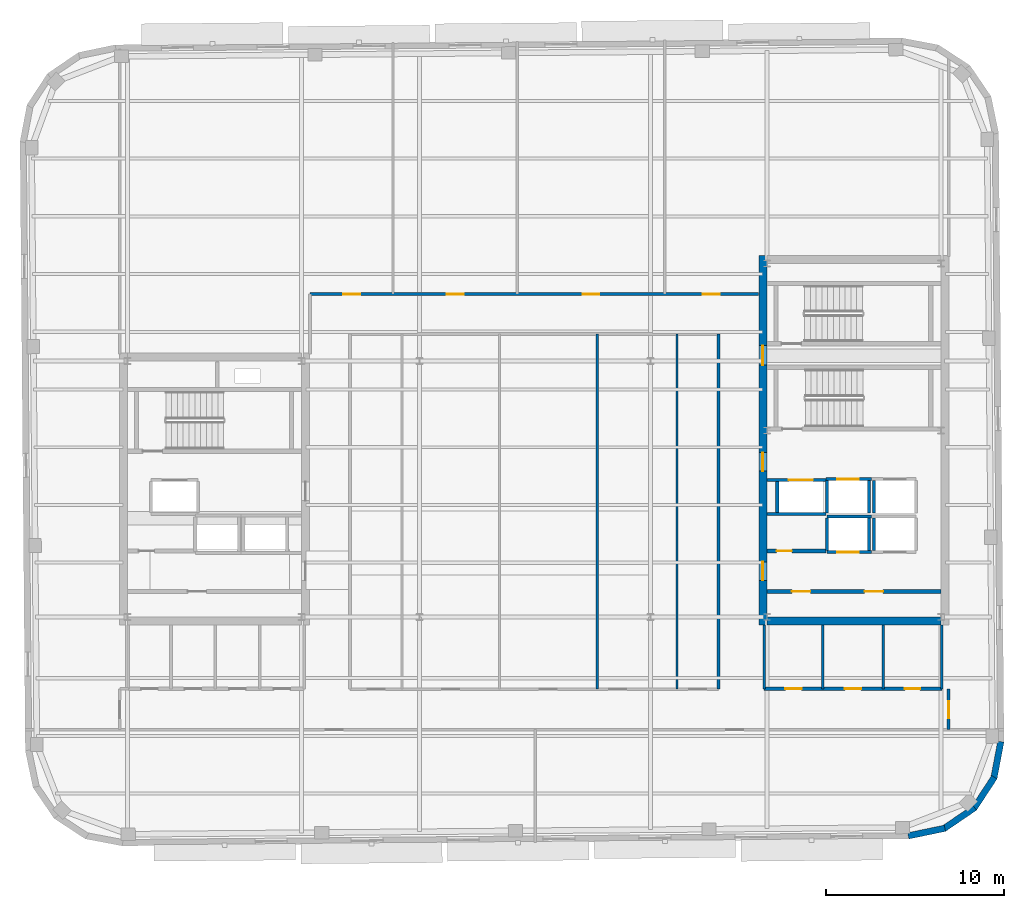
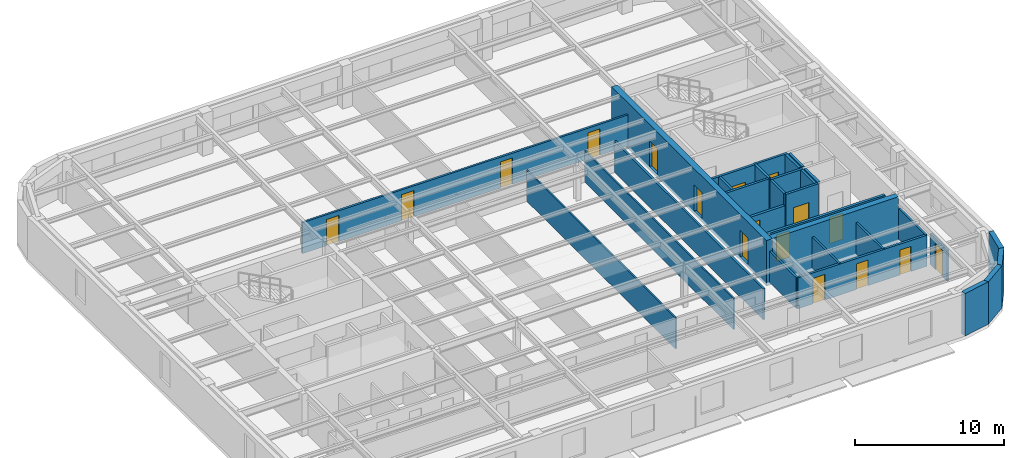
# One storey, part 8 of 14: 30 walls, 17 doors, 17 openings.
"""IFC4 building model written with IfcOpenShell, lengths in metres."""

from ifc_helpers import new_model, si_unit, direction, frame, frame_2d, origin, place, context, subcontext, project, spatial, rectangle, extrude, material, layer, layer_set, type_object, element, fill, save


model = new_model("IFC4")

# Units and contexts
model_context = context("Model", 3, precision=1e-05, world=origin(), true_north=direction((0.0, 1.0)))
body_context = subcontext(model_context, "Body", "Model", "MODEL_VIEW")
ifc_project = project(units=[si_unit("LENGTHUNIT", "METRE"), si_unit("AREAUNIT", "SQUARE_METRE"), si_unit("VOLUMEUNIT", "CUBIC_METRE"), si_unit("PLANEANGLEUNIT", "RADIAN"), si_unit("MASSUNIT", "GRAM", prefix="KILO")], contexts=[model_context])

# Site, building, storey
site_placement = place(None, origin())
site = spatial("IfcSite", under=ifc_project, at=site_placement, CompositionType="ELEMENT")
building_placement = place(site_placement, origin())
building = spatial("IfcBuilding", under=site, at=building_placement, Name="Kolvaren Arena Tower", CompositionType="ELEMENT")
storey_placement = place(building_placement, frame((0.0, 0.0, 297.39990234375)))
storey = spatial("IfcBuildingStorey", under=building, at=storey_placement, Name="L73", CompositionType="ELEMENT", Elevation=297.39990234375)

# Wall, openings, doors
ifc_material_1 = material(Name="Gypsum board acoustic assembly", Category="gypsum")
ifc_layer_1 = layer(ifc_material_1, 0.159912109375)
ifc_layer_set_1 = layer_set([ifc_layer_1], Name="Gypsum board acoustic assembly")
wall_type_1 = type_object("IfcWallType", Name="CORR-160", PredefinedType="PARTITIONING", material=ifc_layer_set_1)
wall_1_placement = place(storey_placement, frame((24.820068359375, 37.6201171875, 0.0), z_axis=(0.0, 0.0, 1.0), x_axis=(1.0, 0.0, 0.0)))
wall_1 = element("IfcWall", 1, at=wall_1_placement, inside=storey, type_object=wall_type_1, Name="Interior Partition Wall (L73)", PredefinedType="PARTITIONING", context=body_context, shape_type="SweptSolid", body=[
    extrude(rectangle(XDim=25.260009765625, YDim=0.159912109375, at=frame_2d((12.6298828125, 0.0))), origin(), (0.0, 0.0, 1.0), 2.5400390625),
])
opening_1_placement = place(wall_1_placement, frame((1.8798828125, 0.0, 0.0)))
opening_1 = element("IfcOpeningElement", 2, at=opening_1_placement, cuts=wall_1, Name="Opening D05", PredefinedType="OPENING", context=body_context, shape_type="SweptSolid", body=[
    extrude(rectangle(XDim=0.949951171875, YDim=2.14990234375, at=frame_2d((0.47509765625, 1.074951171875))), frame((0.0, 0.08984375, 0.0), z_axis=(0.0, -1.0, 0.0), x_axis=(1.0, 0.0, 0.0)), (0.0, 0.0, 1.0), 0.179931640625),
])
opening_2_placement = place(wall_1_placement, frame((7.705078125, 0.0, 0.0)))
opening_2 = element("IfcOpeningElement", 3, at=opening_2_placement, cuts=wall_1, Name="Opening D05", PredefinedType="OPENING", context=body_context, shape_type="SweptSolid", body=[
    extrude(rectangle(XDim=0.949951171875, YDim=2.14990234375, at=frame_2d((0.47509765625, 1.074951171875))), frame((0.0, 0.08984375, 0.0), z_axis=(0.0, -1.0, 0.0), x_axis=(1.0, 0.0, 0.0)), (0.0, 0.0, 1.0), 0.179931640625),
])
opening_3_placement = place(wall_1_placement, frame((15.35498046875, 0.0, 0.0)))
opening_3 = element("IfcOpeningElement", 4, at=opening_3_placement, cuts=wall_1, Name="Opening D05", PredefinedType="OPENING", context=body_context, shape_type="SweptSolid", body=[
    extrude(rectangle(XDim=0.949951171875, YDim=2.14990234375, at=frame_2d((0.47509765625, 1.074951171875))), frame((0.0, 0.08984375, 0.0), z_axis=(0.0, -1.0, 0.0), x_axis=(1.0, 0.0, 0.0)), (0.0, 0.0, 1.0), 0.179931640625),
])
opening_4_placement = place(wall_1_placement, frame((22.1298828125, 0.0, 0.0)))
opening_4 = element("IfcOpeningElement", 5, at=opening_4_placement, cuts=wall_1, Name="Opening D05", PredefinedType="OPENING", context=body_context, shape_type="SweptSolid", body=[
    extrude(rectangle(XDim=0.949951171875, YDim=2.14990234375, at=frame_2d((0.47509765625, 1.074951171875))), frame((0.0, 0.08984375, 0.0), z_axis=(0.0, -1.0, 0.0), x_axis=(1.0, 0.0, 0.0)), (0.0, 0.0, 1.0), 0.179931640625),
])
ifc_material_2 = material(Name="Solid-core oak acoustic office door", Category="wood")
door_type_1 = type_object("IfcDoorType", Name="DOOR-OF-095", OperationType="NOTDEFINED", PredefinedType="DOOR", material=ifc_material_2)
door_1_placement = place(opening_1_placement, origin())
door_1 = element("IfcDoor", 6, at=door_1_placement, inside=storey, type_object=door_type_1, Name="Open Plan Office Door (L73)", OperationType="SINGLE_SWING_LEFT", OverallHeight=2.14990234375, OverallWidth=0.949951171875, PredefinedType="DOOR", context=body_context, shape_type="SweptSolid", body=[
    extrude(rectangle(XDim=0.949951171875, YDim=2.14990234375, at=frame_2d((0.47509765625, 1.074951171875))), frame((0.0, 0.02490234375, 0.0), z_axis=(0.0, -1.0, 0.0), x_axis=(1.0, 0.0, 0.0)), (0.0, 0.0, 1.0), 0.050048828125),
])
fill(opening_1, door_1)
door_2_placement = place(opening_2_placement, origin())
door_2 = element("IfcDoor", 7, at=door_2_placement, inside=storey, type_object=door_type_1, Name="Wellness Room Door (L73)", OperationType="SINGLE_SWING_RIGHT", OverallHeight=2.14990234375, OverallWidth=0.949951171875, PredefinedType="DOOR", context=body_context, shape_type="SweptSolid", body=[
    extrude(rectangle(XDim=0.949951171875, YDim=2.14990234375, at=frame_2d((0.47509765625, 1.074951171875))), frame((0.0, 0.02490234375, 0.0), z_axis=(0.0, -1.0, 0.0), x_axis=(1.0, 0.0, 0.0)), (0.0, 0.0, 1.0), 0.050048828125),
])
fill(opening_2, door_2)
door_3_placement = place(opening_3_placement, origin())
door_3 = element("IfcDoor", 8, at=door_3_placement, inside=storey, type_object=door_type_1, Name="Corporate Project Office Door (L73)", OperationType="SINGLE_SWING_LEFT", OverallHeight=2.14990234375, OverallWidth=0.949951171875, PredefinedType="DOOR", context=body_context, shape_type="SweptSolid", body=[
    extrude(rectangle(XDim=0.949951171875, YDim=2.14990234375, at=frame_2d((0.47509765625, 1.074951171875))), frame((0.0, 0.02490234375, 0.0), z_axis=(0.0, -1.0, 0.0), x_axis=(1.0, 0.0, 0.0)), (0.0, 0.0, 1.0), 0.050048828125),
])
fill(opening_3, door_3)
door_4_placement = place(opening_4_placement, origin())
door_4 = element("IfcDoor", 9, at=door_4_placement, inside=storey, type_object=door_type_1, Name="Breakout Pantry and Kitchen Door (L73)", OperationType="SINGLE_SWING_RIGHT", OverallHeight=2.14990234375, OverallWidth=0.949951171875, PredefinedType="DOOR", context=body_context, shape_type="SweptSolid", body=[
    extrude(rectangle(XDim=0.949951171875, YDim=2.14990234375, at=frame_2d((0.47509765625, 1.074951171875))), frame((0.0, 0.02490234375, 0.0), z_axis=(0.0, -1.0, 0.0), x_axis=(1.0, 0.0, 0.0)), (0.0, 0.0, 1.0), 0.050048828125),
])
fill(opening_4, door_4)

# Wall
wall_2_placement = place(storey_placement, frame((47.820068359375, 15.3798828125, 0.0), z_axis=(0.0, 0.0, 1.0), x_axis=(0.0, 1.0, 0.0)))
element("IfcWall", 10, at=wall_2_placement, inside=storey, type_object=wall_type_1, Name="Interior Partition Wall (L73)", PredefinedType="PARTITIONING", context=body_context, shape_type="SweptSolid", body=[
    extrude(rectangle(XDim=20.0, YDim=0.159912109375, at=frame_2d((10.0, 0.0))), origin(), (0.0, 0.0, 1.0), 2.5400390625),
])

# Wall, opening, door
wall_3_placement = place(storey_placement, frame((60.780029296875, 13.10009765625, 0.0), z_axis=(0.0, 0.0, 1.0), x_axis=(0.0, 1.0, 0.0)))
wall_3 = element("IfcWall", 11, at=wall_3_placement, inside=storey, type_object=wall_type_1, Name="Interior Partition Wall (L73)", PredefinedType="PARTITIONING", context=body_context, shape_type="SweptSolid", body=[
    extrude(rectangle(XDim=2.2998046875, YDim=0.159912109375, at=frame_2d((1.14990234375, 0.0))), origin(), (0.0, 0.0, 1.0), 2.5400390625),
])
opening_5_placement = place(wall_3_placement, frame((0.64990234375, 0.0, 0.0)))
opening_5 = element("IfcOpeningElement", 12, at=opening_5_placement, cuts=wall_3, Name="Opening D05", PredefinedType="OPENING", context=body_context, shape_type="SweptSolid", body=[
    extrude(rectangle(XDim=0.949951171875, YDim=2.14990234375, at=frame_2d((0.47509765625, 1.074951171875))), frame((0.0, 0.08984375, 0.0), z_axis=(0.0, -1.0, 0.0), x_axis=(1.0, 0.0, 0.0)), (0.0, 0.0, 1.0), 0.179931640625),
])
door_5_placement = place(opening_5_placement, origin())
door_5 = element("IfcDoor", 13, at=door_5_placement, inside=storey, type_object=door_type_1, Name="East Wing Studio Door (L73)", OperationType="SINGLE_SWING_RIGHT", OverallHeight=2.14990234375, OverallWidth=0.949951171875, PredefinedType="DOOR", context=body_context, shape_type="SweptSolid", body=[
    extrude(rectangle(XDim=0.949951171875, YDim=2.14990234375, at=frame_2d((0.47509765625, 1.074951171875))), frame((0.0, 0.02490234375, 0.0), z_axis=(0.0, -1.0, 0.0), x_axis=(1.0, 0.0, 0.0)), (0.0, 0.0, 1.0), 0.050048828125),
])
fill(opening_5, door_5)

# Wall, openings, doors
ifc_material_3 = material(Name="Concrete 55 MPa", Category="concrete")
ifc_layer_2 = layer(ifc_material_3, 0.449951171875)
ifc_layer_set_2 = layer_set([ifc_layer_2], Name="Concrete 55 MPa")
wall_type_2 = type_object("IfcWallType", Name="CWALL-450", PredefinedType="SHEAR", material=ifc_layer_set_2)
wall_4_placement = place(storey_placement, frame((50.324951171875, 19.0, -0.27001953125), z_axis=(0.0, 0.0, 1.0), x_axis=(0.0, 1.0, 0.0)))
wall_4 = element("IfcWall", 14, at=wall_4_placement, inside=storey, type_object=wall_type_2, Name="Core Shear Wall EC-WEST (L73)", PredefinedType="SHEAR", context=body_context, shape_type="SweptSolid", body=[
    extrude(rectangle(XDim=20.800048828125, YDim=0.449951171875, at=frame_2d((10.39990234375, 0.0))), origin(), (0.0, 0.0, 1.0), 3.75),
])
opening_6_placement = place(wall_4_placement, frame((2.5, 0.0, 0.27001953125)))
opening_6 = element("IfcOpeningElement", 15, at=opening_6_placement, cuts=wall_4, Name="Opening D04", PredefinedType="OPENING", context=body_context, shape_type="SweptSolid", body=[
    extrude(rectangle(XDim=1.050048828125, YDim=2.14990234375, at=frame_2d((0.52490234375, 1.074951171875))), frame((0.0, 0.23486328125, 0.0), z_axis=(0.0, -1.0, 0.0), x_axis=(1.0, 0.0, 0.0)), (0.0, 0.0, 1.0), 0.469970703125),
])
opening_7_placement = place(wall_4_placement, frame((8.64990234375, 0.0, 0.27001953125)))
opening_7 = element("IfcOpeningElement", 16, at=opening_7_placement, cuts=wall_4, Name="Opening D04", PredefinedType="OPENING", context=body_context, shape_type="SweptSolid", body=[
    extrude(rectangle(XDim=1.050048828125, YDim=2.14990234375, at=frame_2d((0.52490234375, 1.074951171875))), frame((0.0, 0.23486328125, 0.0), z_axis=(0.0, -1.0, 0.0), x_axis=(1.0, 0.0, 0.0)), (0.0, 0.0, 1.0), 0.469970703125),
])
opening_8_placement = place(wall_4_placement, frame((14.6201171875, 0.0, 0.27001953125)))
opening_8 = element("IfcOpeningElement", 17, at=opening_8_placement, cuts=wall_4, Name="Opening D03", PredefinedType="OPENING", context=body_context, shape_type="SweptSolid", body=[
    extrude(rectangle(XDim=1.10009765625, YDim=2.14990234375, at=frame_2d((0.550048828125, 1.074951171875))), frame((0.0, 0.23486328125, 0.0), z_axis=(0.0, -1.0, 0.0), x_axis=(1.0, 0.0, 0.0)), (0.0, 0.0, 1.0), 0.469970703125),
])
ifc_material_4 = material(Name="Fire-rated steel lobby door", Category="steel")
door_type_2 = type_object("IfcDoorType", Name="DOOR-FF-105", OperationType="NOTDEFINED", PredefinedType="DOOR", material=ifc_material_4)
door_6_placement = place(opening_6_placement, origin())
door_6 = element("IfcDoor", 18, at=door_6_placement, inside=storey, type_object=door_type_2, Name="East Lift Lobby Fire Door (L73)", OperationType="SINGLE_SWING_RIGHT", OverallHeight=2.14990234375, OverallWidth=1.050048828125, PredefinedType="DOOR", context=body_context, shape_type="SweptSolid", body=[
    extrude(rectangle(XDim=1.050048828125, YDim=2.14990234375, at=frame_2d((0.52490234375, 1.074951171875))), frame((0.0, 0.02490234375, 0.0), z_axis=(0.0, -1.0, 0.0), x_axis=(1.0, 0.0, 0.0)), (0.0, 0.0, 1.0), 0.050048828125),
])
fill(opening_6, door_6)
door_7_placement = place(opening_7_placement, origin())
door_7 = element("IfcDoor", 19, at=door_7_placement, inside=storey, type_object=door_type_2, Name="East Firefighter Vestibule Door (L73)", OperationType="SINGLE_SWING_LEFT", OverallHeight=2.14990234375, OverallWidth=1.050048828125, PredefinedType="DOOR", context=body_context, shape_type="SweptSolid", body=[
    extrude(rectangle(XDim=1.050048828125, YDim=2.14990234375, at=frame_2d((0.52490234375, 1.074951171875))), frame((0.0, 0.02490234375, 0.0), z_axis=(0.0, -1.0, 0.0), x_axis=(1.0, 0.0, 0.0)), (0.0, 0.0, 1.0), 0.050048828125),
])
fill(opening_7, door_7)
ifc_material_5 = material(Name="Fire-rated steel exit stair door", Category="steel")
door_type_3 = type_object("IfcDoorType", Name="DOOR-ST-110", OperationType="NOTDEFINED", PredefinedType="DOOR", material=ifc_material_5)
door_8_placement = place(opening_8_placement, origin())
door_8 = element("IfcDoor", 20, at=door_8_placement, inside=storey, type_object=door_type_3, Name="Stair ST-E2 Vestibule Fire Door (L73)", OperationType="SINGLE_SWING_LEFT", OverallHeight=2.14990234375, OverallWidth=1.10009765625, PredefinedType="DOOR", context=body_context, shape_type="SweptSolid", body=[
    extrude(rectangle(XDim=1.10009765625, YDim=2.14990234375, at=frame_2d((0.550048828125, 1.074951171875))), frame((0.0, 0.02490234375, 0.0), z_axis=(0.0, -1.0, 0.0), x_axis=(1.0, 0.0, 0.0)), (0.0, 0.0, 1.0), 0.050048828125),
])
fill(opening_8, door_8)

# Walls
wall_5_placement = place(storey_placement, frame((50.550048828125, 19.22509765625, -0.27001953125), z_axis=(0.0, 0.0, 1.0), x_axis=(1.0, 0.0, 0.0)))
element("IfcWall", 21, at=wall_5_placement, inside=storey, type_object=wall_type_2, Name="Core Shear Wall EC-SOUTH (L73)", PredefinedType="SHEAR", context=body_context, shape_type="SweptSolid", body=[
    extrude(rectangle(XDim=9.800048828125, YDim=0.449951171875, at=frame_2d((4.89990234375, 0.0))), origin(), (0.0, 0.0, 1.0), 3.75),
])
ifc_material_6 = material(Name="Precast concrete C50/60", Category="concrete")
ifc_layer_3 = layer(ifc_material_6, 0.360107421875)
ifc_layer_set_3 = layer_set([ifc_layer_3], Name="Precast concrete C50/60")
wall_type_3 = type_object("IfcWallType", Name="EXT-PIER2", PredefinedType="SOLIDWALL", material=ifc_layer_set_3)
wall_6_placement = place(storey_placement, frame((60.572265625, 7.54931640625, 0.0), z_axis=(0.0, 0.0, 1.0), x_axis=(-0.979059388908, -0.203574833883, 0.0)))
element("IfcWall", 22, at=wall_6_placement, inside=storey, type_object=wall_type_3, Name="Exterior Precast Masonry-Frame Wall (L73)", PredefinedType="SOLIDWALL", context=body_context, shape_type="SweptSolid", body=[
    extrude(rectangle(XDim=2.107177734375, YDim=0.360107421875, at=frame_2d((1.0537109375, 0.0))), origin(), (0.0, 0.0, 1.0), 3.47998046875),
])
for number, where, z_axis, x_axis, name in (
    (23, (62.2490234375, 8.707763671875, 0.0), (0.0, 0.0, 1.0), (-0.826572866302, -0.562829722645, 0.0), "Exterior Precast Masonry-Frame Wall (L73)"),
    (24, (63.35498046875, 10.419921875, 0.0), (0.0, 0.0, 1.0), (-0.54818559406, -0.836356714844, 0.0), "Exterior Precast Masonry-Frame Wall (L73)"),
    (25, (63.7216796875, 12.4248046875, 0.0), (0.0, 0.0, 1.0), (-0.186435855703, -0.98246713518, 0.0), "Exterior Precast Masonry-Frame Wall (L73)"),
):
    element("IfcWall", number, at=place(storey_placement, frame(where, z_axis=z_axis, x_axis=x_axis)), inside=storey, type_object=wall_type_3, Name=name, PredefinedType="SOLIDWALL", context=body_context, shape_type="SweptSolid", body=[
        extrude(rectangle(XDim=2.10693359375, YDim=0.360107421875, at=frame_2d((1.053466796875, 0.0))), origin(), (0.0, 0.0, 1.0), 3.47998046875),
    ])

# Wall, openings, doors
ifc_material_7 = material(Name="Concrete 40 MPa", Category="concrete")
ifc_layer_4 = layer(ifc_material_7, 0.199951171875)
ifc_layer_set_4 = layer_set([ifc_layer_4], Name="Concrete 40 MPa")
wall_type_4 = type_object("IfcWallType", Name="LOBBY-200", PredefinedType="SOLIDWALL", material=ifc_layer_set_4)
wall_7_placement = place(storey_placement, frame((50.550048828125, 20.8798828125, 0.0), z_axis=(0.0, 0.0, 1.0), x_axis=(1.0, 0.0, 0.0)))
wall_7 = element("IfcWall", 26, at=wall_7_placement, inside=storey, type_object=wall_type_4, Name="Core Shaft Wall (L73)", PredefinedType="SOLIDWALL", context=body_context, shape_type="SweptSolid", body=[
    extrude(rectangle(XDim=9.800048828125, YDim=0.199951171875, at=frame_2d((4.89990234375, 0.0))), origin(), (0.0, 0.0, 1.0), 2.5400390625),
])
opening_9_placement = place(wall_7_placement, frame((1.39990234375, 0.0, 0.0)))
opening_9 = element("IfcOpeningElement", 27, at=opening_9_placement, cuts=wall_7, Name="Opening D04", PredefinedType="OPENING", context=body_context, shape_type="SweptSolid", body=[
    extrude(rectangle(XDim=1.050048828125, YDim=2.14990234375, at=frame_2d((0.52490234375, 1.074951171875))), frame((0.0, 0.10986328125, 0.0), z_axis=(0.0, -1.0, 0.0), x_axis=(1.0, 0.0, 0.0)), (0.0, 0.0, 1.0), 0.219970703125),
])
opening_10_placement = place(wall_7_placement, frame((5.5, 0.0, 0.0)))
opening_10 = element("IfcOpeningElement", 28, at=opening_10_placement, cuts=wall_7, Name="Opening D04", PredefinedType="OPENING", context=body_context, shape_type="SweptSolid", body=[
    extrude(rectangle(XDim=1.050048828125, YDim=2.14990234375, at=frame_2d((0.52490234375, 1.074951171875))), frame((0.0, 0.10986328125, 0.0), z_axis=(0.0, -1.0, 0.0), x_axis=(1.0, 0.0, 0.0)), (0.0, 0.0, 1.0), 0.219970703125),
])
door_9_placement = place(opening_9_placement, origin())
door_9 = element("IfcDoor", 29, at=door_9_placement, inside=storey, type_object=door_type_2, Name="East Telecom Room Fire Door (L73)", OperationType="SINGLE_SWING_RIGHT", OverallHeight=2.14990234375, OverallWidth=1.050048828125, PredefinedType="DOOR", context=body_context, shape_type="SweptSolid", body=[
    extrude(rectangle(XDim=1.050048828125, YDim=2.14990234375, at=frame_2d((0.52490234375, 1.074951171875))), frame((0.0, 0.02490234375, 0.0), z_axis=(0.0, -1.0, 0.0), x_axis=(1.0, 0.0, 0.0)), (0.0, 0.0, 1.0), 0.050048828125),
])
fill(opening_9, door_9)
door_10_placement = place(opening_10_placement, origin())
door_10 = element("IfcDoor", 30, at=door_10_placement, inside=storey, type_object=door_type_2, Name="East Records Room Fire Door (L73)", OperationType="SINGLE_SWING_LEFT", OverallHeight=2.14990234375, OverallWidth=1.050048828125, PredefinedType="DOOR", context=body_context, shape_type="SweptSolid", body=[
    extrude(rectangle(XDim=1.050048828125, YDim=2.14990234375, at=frame_2d((0.52490234375, 1.074951171875))), frame((0.0, 0.02490234375, 0.0), z_axis=(0.0, -1.0, 0.0), x_axis=(1.0, 0.0, 0.0)), (0.0, 0.0, 1.0), 0.050048828125),
])
fill(opening_10, door_10)

# Wall, opening, door
wall_8_placement = place(storey_placement, frame((50.550048828125, 23.159912109375, 0.0), z_axis=(0.0, 0.0, 1.0), x_axis=(1.0, 0.0, 0.0)))
wall_8 = element("IfcWall", 31, at=wall_8_placement, inside=storey, type_object=wall_type_4, Name="Core Shaft Wall (L73)", PredefinedType="SOLIDWALL", context=body_context, shape_type="SweptSolid", body=[
    extrude(rectangle(XDim=3.329833984375, YDim=0.199951171875, at=frame_2d((1.6650390625, 0.0))), origin(), (0.0, 0.0, 1.0), 2.5400390625),
])
opening_11_placement = place(wall_8_placement, frame((0.550048828125, 0.0, 0.0)))
opening_11 = element("IfcOpeningElement", 32, at=opening_11_placement, cuts=wall_8, Name="Opening D09", PredefinedType="OPENING", context=body_context, shape_type="SweptSolid", body=[
    extrude(rectangle(XDim=0.860107421875, YDim=2.050048828125, at=frame_2d((0.43017578125, 1.02490234375))), frame((0.0, 0.10986328125, 0.0), z_axis=(0.0, -1.0, 0.0), x_axis=(1.0, 0.0, 0.0)), (0.0, 0.0, 1.0), 0.219970703125),
])
ifc_material_8 = material(Name="Fire-rated steel riser access door", Category="steel")
door_type_4 = type_object("IfcDoorType", Name="DOOR-RS-086", OperationType="NOTDEFINED", PredefinedType="DOOR", material=ifc_material_8)
door_11_placement = place(opening_11_placement, origin())
door_11 = element("IfcDoor", 33, at=door_11_placement, inside=storey, type_object=door_type_4, Name="East AV Riser Closet Door (L73)", OperationType="SINGLE_SWING_LEFT", OverallHeight=2.050048828125, OverallWidth=0.860107421875, PredefinedType="DOOR", context=body_context, shape_type="SweptSolid", body=[
    extrude(rectangle(XDim=0.860107421875, YDim=2.050048828125, at=frame_2d((0.43017578125, 1.02490234375))), frame((0.0, 0.02490234375, 0.0), z_axis=(0.0, -1.0, 0.0), x_axis=(1.0, 0.0, 0.0)), (0.0, 0.0, 1.0), 0.050048828125),
])
fill(opening_11, door_11)

# Walls
ifc_material_9 = material(Name="Gypsum board partition assembly", Category="gypsum")
ifc_layer_5 = layer(ifc_material_9, 0.114990234375)
ifc_layer_set_5 = layer_set([ifc_layer_5], Name="Gypsum board partition assembly")
wall_type_5 = type_object("IfcWallType", Name="PART-115", PredefinedType="PARTITIONING", material=ifc_layer_set_5)
for number, where, z_axis, x_axis, name in (
    (34, (41.0, 15.3798828125, 0.0), (0.0, 0.0, 1.0), (0.0, 1.0, 0.0), "Interior Partition Wall (L73)"),
    (35, (45.5, 15.3798828125, 0.0), (0.0, 0.0, 1.0), (0.0, 1.0, 0.0), "Interior Partition Wall (L73)"),
):
    element("IfcWall", number, at=place(storey_placement, frame(where, z_axis=z_axis, x_axis=x_axis)), inside=storey, type_object=wall_type_5, Name=name, PredefinedType="PARTITIONING", context=body_context, shape_type="SweptSolid", body=[
        extrude(rectangle(XDim=20.0, YDim=0.114990234375, at=frame_2d((10.0, 0.0))), origin(), (0.0, 0.0, 1.0), 2.5400390625),
    ])
ifc_material_10 = material(Name="Concrete 45 MPa", Category="concrete")
ifc_layer_6 = layer(ifc_material_10, 0.25)
ifc_layer_set_6 = layer_set([ifc_layer_6], Name="Concrete 45 MPa")
wall_type_6 = type_object("IfcWallType", Name="SHAFT-250", PredefinedType="SOLIDWALL", material=ifc_layer_set_6)
wall_9_placement = place(storey_placement, frame((53.93994140625, 25.10498046875, 0.0), z_axis=(0.0, 0.0, 1.0), x_axis=(1.0, 0.0, 0.0)))
element("IfcWall", 36, at=wall_9_placement, inside=storey, type_object=wall_type_6, Name="Core Shaft Wall (L73)", PredefinedType="SOLIDWALL", context=body_context, shape_type="SweptSolid", body=[
    extrude(rectangle(XDim=2.5, YDim=0.179931640625, at=frame_2d((1.25, 0.0))), origin(), (0.0, 0.0, 1.0), 3.47998046875),
])

# Wall, opening, door
wall_10_placement = place(storey_placement, frame((53.93994140625, 23.094970703125, 0.0), z_axis=(0.0, 0.0, 1.0), x_axis=(1.0, 0.0, 0.0)))
wall_10 = element("IfcWall", 37, at=wall_10_placement, inside=storey, type_object=wall_type_6, Name="Core Shaft Wall (L73)", PredefinedType="SOLIDWALL", context=body_context, shape_type="SweptSolid", body=[
    extrude(rectangle(XDim=2.5, YDim=0.179931640625, at=frame_2d((1.25, 0.0))), origin(), (0.0, 0.0, 1.0), 3.47998046875),
])
opening_12_placement = place(wall_10_placement, frame((0.580078125, 0.0, 0.0)))
opening_12 = element("IfcOpeningElement", 38, at=opening_12_placement, cuts=wall_10, Name="Opening LD1", PredefinedType="OPENING", context=body_context, shape_type="SweptSolid", body=[
    extrude(rectangle(XDim=1.199951171875, YDim=2.199951171875, at=frame_2d((0.60009765625, 1.10009765625))), frame((0.0, 0.099853515625, 0.0), z_axis=(0.0, -1.0, 0.0), x_axis=(1.0, 0.0, 0.0)), (0.0, 0.0, 1.0), 0.199951171875),
])
ifc_material_11 = material(Name="Stainless steel passenger lift landing door", Category="steel")
door_type_5 = type_object("IfcDoorType", Name="DOOR-LD-120", OperationType="DOUBLE_DOOR_SLIDING", PredefinedType="DOOR", material=ifc_material_11)
door_12_placement = place(opening_12_placement, origin())
door_12 = element("IfcDoor", 39, at=door_12_placement, inside=storey, type_object=door_type_5, Name="Lift EL-HR1 Landing Door (L73)", OperationType="DOUBLE_DOOR_SLIDING", OverallHeight=2.199951171875, OverallWidth=1.199951171875, PredefinedType="DOOR", context=body_context, shape_type="SweptSolid", body=[
    extrude(rectangle(XDim=1.199951171875, YDim=2.199951171875, at=frame_2d((0.60009765625, 1.10009765625))), frame((0.0, 0.02490234375, 0.0), z_axis=(0.0, -1.0, 0.0), x_axis=(1.0, 0.0, 0.0)), (0.0, 0.0, 1.0), 0.050048828125),
])
fill(opening_12, door_12)

# Walls
for number, where, z_axis, x_axis, name in (
    (40, (53.93994140625, 23.18505859375, 0.0), (0.0, 0.0, 1.0), (0.0, 1.0, 0.0), "Core Shaft Wall (L73)"),
    (41, (56.300048828125, 23.18505859375, 0.0), (0.0, 0.0, 1.0), (0.0, 1.0, 0.0), "Core Shaft Wall (L73)"),
    (42, (56.580078125, 23.18505859375, 0.0), (0.0, 0.0, 1.0), (0.0, 1.0, 0.0), "Core Shaft Wall (L73)"),
):
    element("IfcWall", number, at=place(storey_placement, frame(where, z_axis=z_axis, x_axis=x_axis)), inside=storey, type_object=wall_type_6, Name=name, PredefinedType="SOLIDWALL", context=body_context, shape_type="SweptSolid", body=[
        extrude(rectangle(XDim=1.829833984375, YDim=0.179931640625, at=frame_2d((0.9150390625, 0.0))), origin(), (0.0, 0.0, 1.0), 3.47998046875),
    ])

# Wall, opening, door
wall_11_placement = place(storey_placement, frame((53.864990234375, 27.205078125, 0.0), z_axis=(0.0, 0.0, 1.0), x_axis=(1.0, 0.0, 0.0)))
wall_11 = element("IfcWall", 43, at=wall_11_placement, inside=storey, type_object=wall_type_6, Name="Core Shaft Wall (L73)", PredefinedType="SOLIDWALL", context=body_context, shape_type="SweptSolid", body=[
    extrude(rectangle(XDim=2.574951171875, YDim=0.179931640625, at=frame_2d((1.28759765625, 0.0))), origin(), (0.0, 0.0, 1.0), 3.47998046875),
])
opening_13_placement = place(wall_11_placement, frame((0.655029296875, 0.0, 0.0)))
opening_13 = element("IfcOpeningElement", 44, at=opening_13_placement, cuts=wall_11, Name="Opening LD1", PredefinedType="OPENING", context=body_context, shape_type="SweptSolid", body=[
    extrude(rectangle(XDim=1.199951171875, YDim=2.199951171875, at=frame_2d((0.60009765625, 1.10009765625))), frame((0.0, 0.099853515625, 0.0), z_axis=(0.0, -1.0, 0.0), x_axis=(1.0, 0.0, 0.0)), (0.0, 0.0, 1.0), 0.199951171875),
])
door_13_placement = place(opening_13_placement, origin())
door_13 = element("IfcDoor", 45, at=door_13_placement, inside=storey, type_object=door_type_5, Name="Lift EL-HR3 Landing Door (L73)", OperationType="DOUBLE_DOOR_SLIDING", OverallHeight=2.199951171875, OverallWidth=1.199951171875, PredefinedType="DOOR", context=body_context, shape_type="SweptSolid", body=[
    extrude(rectangle(XDim=1.199951171875, YDim=2.199951171875, at=frame_2d((0.60009765625, 1.10009765625))), frame((0.0, 0.02490234375, 0.0), z_axis=(0.0, -1.0, 0.0), x_axis=(1.0, 0.0, 0.0)), (0.0, 0.0, 1.0), 0.050048828125),
])
fill(opening_13, door_13)

# Walls
for number, where, z_axis, x_axis, name in (
    (46, (53.93994140625, 25.284912109375, 0.0), (0.0, 0.0, 1.0), (0.0, 1.0, 0.0), "Core Shaft Wall (L73)"),
    (47, (56.300048828125, 25.284912109375, 0.0), (0.0, 0.0, 1.0), (0.0, 1.0, 0.0), "Core Shaft Wall (L73)"),
    (48, (56.580078125, 25.284912109375, 0.0), (0.0, 0.0, 1.0), (0.0, 1.0, 0.0), "Core Shaft Wall (L73)"),
):
    element("IfcWall", number, at=place(storey_placement, frame(where, z_axis=z_axis, x_axis=x_axis)), inside=storey, type_object=wall_type_6, Name=name, PredefinedType="SOLIDWALL", context=body_context, shape_type="SweptSolid", body=[
        extrude(rectangle(XDim=1.830078125, YDim=0.179931640625, at=frame_2d((0.9150390625, 0.0))), origin(), (0.0, 0.0, 1.0), 3.47998046875),
    ])

# Wall, opening, door
wall_12_placement = place(storey_placement, frame((50.550048828125, 27.155029296875, 0.0), z_axis=(0.0, 0.0, 1.0), x_axis=(1.0, 0.0, 0.0)))
wall_12 = element("IfcWall", 49, at=wall_12_placement, inside=storey, type_object=wall_type_6, Name="Core Shaft Wall (L73)", PredefinedType="SOLIDWALL", context=body_context, shape_type="SweptSolid", body=[
    extrude(rectangle(XDim=3.31494140625, YDim=0.179931640625, at=frame_2d((1.657470703125, 0.0))), origin(), (0.0, 0.0, 1.0), 3.47998046875),
])
opening_14_placement = place(wall_12_placement, frame((1.235107421875, 0.0, 0.0)))
opening_14 = element("IfcOpeningElement", 50, at=opening_14_placement, cuts=wall_12, Name="Opening LD2", PredefinedType="OPENING", context=body_context, shape_type="SweptSolid", body=[
    extrude(rectangle(XDim=1.35009765625, YDim=2.300048828125, at=frame_2d((0.675048828125, 1.14990234375))), frame((0.0, 0.099853515625, 0.0), z_axis=(0.0, -1.0, 0.0), x_axis=(1.0, 0.0, 0.0)), (0.0, 0.0, 1.0), 0.199951171875),
])
ifc_material_12 = material(Name="Stainless steel firefighter lift landing door", Category="steel")
door_type_6 = type_object("IfcDoorType", Name="DOOR-LD-135", OperationType="DOUBLE_DOOR_SLIDING", PredefinedType="DOOR", material=ifc_material_12)
door_14_placement = place(opening_14_placement, origin())
door_14 = element("IfcDoor", 51, at=door_14_placement, inside=storey, type_object=door_type_6, Name="Firefighter Lift FF-E1 Landing Door (L73)", OperationType="DOUBLE_DOOR_SLIDING", OverallHeight=2.300048828125, OverallWidth=1.35009765625, PredefinedType="DOOR", context=body_context, shape_type="SweptSolid", body=[
    extrude(rectangle(XDim=1.35009765625, YDim=2.300048828125, at=frame_2d((0.675048828125, 1.14990234375))), frame((0.0, 0.02490234375, 0.0), z_axis=(0.0, -1.0, 0.0), x_axis=(1.0, 0.0, 0.0)), (0.0, 0.0, 1.0), 0.050048828125),
])
fill(opening_14, door_14)

# Walls
wall_13_placement = place(storey_placement, frame((50.550048828125, 25.2451171875, 0.0), z_axis=(0.0, 0.0, 1.0), x_axis=(1.0, 0.0, 0.0)))
element("IfcWall", 52, at=wall_13_placement, inside=storey, type_object=wall_type_6, Name="Core Shaft Wall (L73)", PredefinedType="SOLIDWALL", context=body_context, shape_type="SweptSolid", body=[
    extrude(rectangle(XDim=3.31494140625, YDim=0.179931640625, at=frame_2d((1.657470703125, 0.0))), origin(), (0.0, 0.0, 1.0), 3.47998046875),
])
wall_14_placement = place(storey_placement, frame((51.1298828125, 25.3349609375, 0.0), z_axis=(0.0, 0.0, 1.0), x_axis=(0.0, 1.0, 0.0)))
element("IfcWall", 53, at=wall_14_placement, inside=storey, type_object=wall_type_6, Name="Core Shaft Wall (L73)", PredefinedType="SOLIDWALL", context=body_context, shape_type="SweptSolid", body=[
    extrude(rectangle(XDim=1.72998046875, YDim=0.179931640625, at=frame_2d((0.864990234375, 0.0))), origin(), (0.0, 0.0, 1.0), 3.47998046875),
])

# Wall, openings, doors
wall_15_placement = place(storey_placement, frame((50.39990234375, 15.39990234375, 0.0), z_axis=(0.0, 0.0, 1.0), x_axis=(1.0, 0.0, 0.0)))
wall_15 = element("IfcWall", 54, at=wall_15_placement, inside=storey, type_object=wall_type_6, Name="Interior Partition Wall (L73)", PredefinedType="SOLIDWALL", context=body_context, shape_type="SweptSolid", body=[
    extrude(rectangle(XDim=10.0, YDim=0.179931640625, at=frame_2d((5.0, 0.0))), origin(), (0.0, 0.0, 1.0), 2.5400390625),
])
opening_15_placement = place(wall_15_placement, frame((1.18994140625, 0.0, 0.0)))
opening_15 = element("IfcOpeningElement", 55, at=opening_15_placement, cuts=wall_15, Name="Opening D07", PredefinedType="OPENING", context=body_context, shape_type="SweptSolid", body=[
    extrude(rectangle(XDim=0.919921875, YDim=2.10009765625, at=frame_2d((0.4599609375, 1.050048828125))), frame((0.0, 0.099853515625, 0.0), z_axis=(0.0, -1.0, 0.0), x_axis=(1.0, 0.0, 0.0)), (0.0, 0.0, 1.0), 0.199951171875),
])
opening_16_placement = place(wall_15_placement, frame((4.5400390625, 0.0, 0.0)))
opening_16 = element("IfcOpeningElement", 56, at=opening_16_placement, cuts=wall_15, Name="Opening D07", PredefinedType="OPENING", context=body_context, shape_type="SweptSolid", body=[
    extrude(rectangle(XDim=0.919921875, YDim=2.10009765625, at=frame_2d((0.4599609375, 1.050048828125))), frame((0.0, 0.099853515625, 0.0), z_axis=(0.0, -1.0, 0.0), x_axis=(1.0, 0.0, 0.0)), (0.0, 0.0, 1.0), 0.199951171875),
])
opening_17_placement = place(wall_15_placement, frame((7.919921875, 0.0, 0.0)))
opening_17 = element("IfcOpeningElement", 57, at=opening_17_placement, cuts=wall_15, Name="Opening D09", PredefinedType="OPENING", context=body_context, shape_type="SweptSolid", body=[
    extrude(rectangle(XDim=0.860107421875, YDim=2.050048828125, at=frame_2d((0.43017578125, 1.02490234375))), frame((0.0, 0.099853515625, 0.0), z_axis=(0.0, -1.0, 0.0), x_axis=(1.0, 0.0, 0.0)), (0.0, 0.0, 1.0), 0.199951171875),
])
door_15_placement = place(opening_17_placement, origin())
door_15 = element("IfcDoor", 58, at=door_15_placement, inside=storey, type_object=door_type_4, Name="Mechanical Riser Closet Door (L73)", OperationType="SINGLE_SWING_LEFT", OverallHeight=2.050048828125, OverallWidth=0.860107421875, PredefinedType="DOOR", context=body_context, shape_type="SweptSolid", body=[
    extrude(rectangle(XDim=0.860107421875, YDim=2.050048828125, at=frame_2d((0.43017578125, 1.02490234375))), frame((0.0, 0.02490234375, 0.0), z_axis=(0.0, -1.0, 0.0), x_axis=(1.0, 0.0, 0.0)), (0.0, 0.0, 1.0), 0.050048828125),
])
fill(opening_17, door_15)
ifc_material_13 = material(Name="Laminate universal washroom door", Category="wood")
door_type_7 = type_object("IfcDoorType", Name="DOOR-WC-092", OperationType="NOTDEFINED", PredefinedType="DOOR", material=ifc_material_13)
door_16_placement = place(opening_15_placement, origin())
door_16 = element("IfcDoor", 59, at=door_16_placement, inside=storey, type_object=door_type_7, Name="Staff Pantry Door (L73)", OperationType="SINGLE_SWING_LEFT", OverallHeight=2.10009765625, OverallWidth=0.919921875, PredefinedType="DOOR", context=body_context, shape_type="SweptSolid", body=[
    extrude(rectangle(XDim=0.919921875, YDim=2.10009765625, at=frame_2d((0.4599609375, 1.050048828125))), frame((0.0, 0.02490234375, 0.0), z_axis=(0.0, -1.0, 0.0), x_axis=(1.0, 0.0, 0.0)), (0.0, 0.0, 1.0), 0.050048828125),
])
fill(opening_15, door_16)
door_17_placement = place(opening_16_placement, origin())
door_17 = element("IfcDoor", 60, at=door_17_placement, inside=storey, type_object=door_type_7, Name="Gender-Neutral Washroom Door (L73)", OperationType="SINGLE_SWING_RIGHT", OverallHeight=2.10009765625, OverallWidth=0.919921875, PredefinedType="DOOR", context=body_context, shape_type="SweptSolid", body=[
    extrude(rectangle(XDim=0.919921875, YDim=2.10009765625, at=frame_2d((0.4599609375, 1.050048828125))), frame((0.0, 0.02490234375, 0.0), z_axis=(0.0, -1.0, 0.0), x_axis=(1.0, 0.0, 0.0)), (0.0, 0.0, 1.0), 0.050048828125),
])
fill(opening_16, door_17)

# Walls
ifc_material_14 = material(Name="Moisture-resistant gypsum assembly", Category="gypsum")
ifc_layer_7 = layer(ifc_material_14, 0.14990234375)
ifc_layer_set_7 = layer_set([ifc_layer_7], Name="Moisture-resistant gypsum assembly")
wall_type_7 = type_object("IfcWallType", Name="WETW-150", PredefinedType="PARTITIONING", material=ifc_layer_set_7)
for number, where, z_axis, x_axis, name in (
    (61, (53.699951171875, 15.39990234375, 0.0), (0.0, 0.0, 1.0), (0.0, 1.0, 0.0), "Interior Partition Wall (L73)"),
    (62, (57.10009765625, 15.39990234375, 0.0), (0.0, 0.0, 1.0), (0.0, 1.0, 0.0), "Interior Partition Wall (L73)"),
    (63, (50.39990234375, 15.39990234375, 0.0), (0.0, 0.0, 1.0), (0.0, 1.0, 0.0), "Interior Partition Wall (L73)"),
    (64, (60.39990234375, 15.39990234375, 0.0), (0.0, 0.0, 1.0), (0.0, 1.0, 0.0), "Interior Partition Wall (L73)"),
):
    element("IfcWall", number, at=place(storey_placement, frame(where, z_axis=z_axis, x_axis=x_axis)), inside=storey, type_object=wall_type_7, Name=name, PredefinedType="PARTITIONING", context=body_context, shape_type="SweptSolid", body=[
        extrude(rectangle(XDim=3.580078125, YDim=0.14990234375, at=frame_2d((1.7900390625, 0.0))), origin(), (0.0, 0.0, 1.0), 2.5400390625),
    ])

save(model, "model.ifc")
